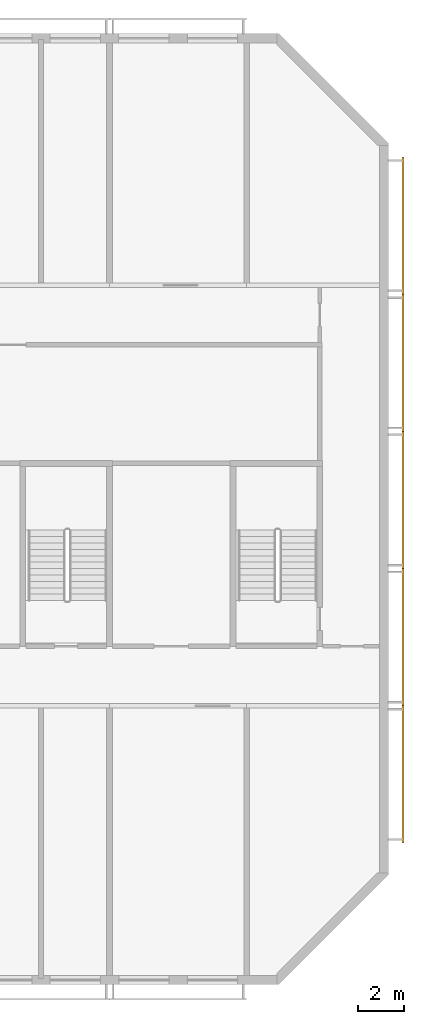
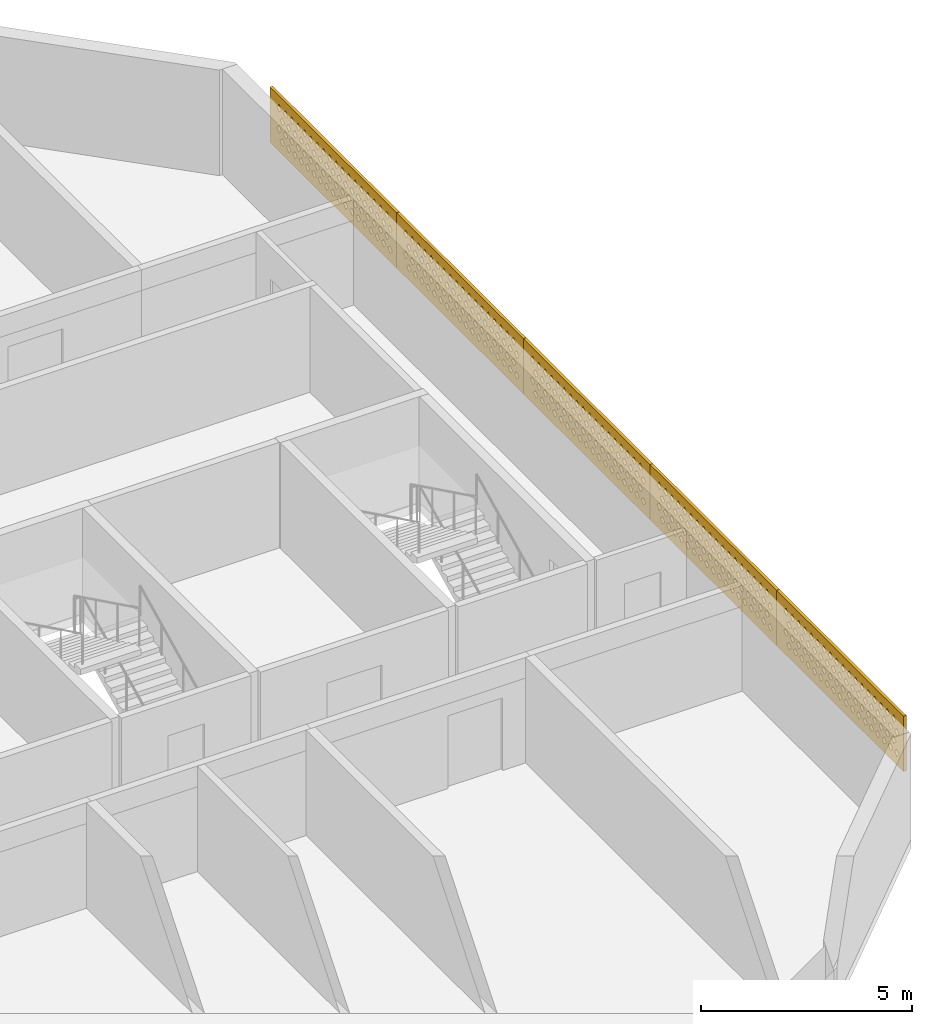
# One storey, part 18 of 18: 5 coverings.
"""IFC4 building model written with IfcOpenShell, lengths in metres."""

from ifc_helpers import new_model, si_unit, direction, frame, origin, place, context, subcontext, project, spatial, polyline, outline, extrude, source, transform, mapped, material, material_profile, profile_set, type_object, element, save


model = new_model("IFC4")

# Units and contexts
model_context = context("Model", 3, precision=1e-05, world=origin(), true_north=direction((0.0, 1.0)))
body_context = subcontext(model_context, "Body", "Model", "MODEL_VIEW")
ifc_project = project(units=[si_unit("LENGTHUNIT", "METRE"), si_unit("AREAUNIT", "SQUARE_METRE"), si_unit("VOLUMEUNIT", "CUBIC_METRE"), si_unit("PLANEANGLEUNIT", "RADIAN"), si_unit("MASSUNIT", "GRAM", prefix="KILO")], contexts=[model_context])

# Site, building, storey
site_placement = place(None, origin())
site = spatial("IfcSite", under=ifc_project, at=site_placement, CompositionType="ELEMENT")
building_placement = place(site_placement, origin())
building = spatial("IfcBuilding", under=site, at=building_placement, Name="Poui Terraces", CompositionType="ELEMENT")
storey_placement = place(building_placement, frame((0.0, 0.0, 275.699951171875)))
storey = spatial("IfcBuildingStorey", under=building, at=storey_placement, Name="L76 CROWN", CompositionType="ELEMENT", Elevation=275.699951171875)

# Coverings
ifc_material = material(Name="Terracotta screen", Category="masonry")
ifc_material_profile = material_profile(ifc_material, outline(polyline([(-3.0, -0.800048828125), (3.0, -0.800048828125), (3.0, 0.800048828125), (-3.0, 0.800048828125), (-3.0, -0.800048828125)]), holes=[polyline([(-2.800048828125, -0.449951171875), (-2.68994140625, -0.56005859375), (-2.580078125, -0.449951171875), (-2.68994140625, -0.340087890625), (-2.800048828125, -0.449951171875)]), polyline([(-2.5, -0.449951171875), (-2.389892578125, -0.56005859375), (-2.280029296875, -0.449951171875), (-2.389892578125, -0.340087890625), (-2.5, -0.449951171875)]), polyline([(-2.199951171875, -0.449951171875), (-2.090087890625, -0.56005859375), (-1.97998046875, -0.449951171875), (-2.090087890625, -0.340087890625), (-2.199951171875, -0.449951171875)]), polyline([(-1.89990234375, -0.449951171875), (-1.7900390625, -0.56005859375), (-1.679931640625, -0.449951171875), (-1.7900390625, -0.340087890625), (-1.89990234375, -0.449951171875)]), polyline([(-1.60009765625, -0.449951171875), (-1.489990234375, -0.56005859375), (-1.3798828125, -0.449951171875), (-1.489990234375, -0.340087890625), (-1.60009765625, -0.449951171875)]), polyline([(-1.300048828125, -0.449951171875), (-1.18994140625, -0.56005859375), (-1.080078125, -0.449951171875), (-1.18994140625, -0.340087890625), (-1.300048828125, -0.449951171875)]), polyline([(-1.0, -0.449951171875), (-0.889892578125, -0.56005859375), (-0.780029296875, -0.449951171875), (-0.889892578125, -0.340087890625), (-1.0, -0.449951171875)]), polyline([(-0.699951171875, -0.449951171875), (-0.590087890625, -0.56005859375), (-0.47998046875, -0.449951171875), (-0.590087890625, -0.340087890625), (-0.699951171875, -0.449951171875)]), polyline([(-0.39990234375, -0.449951171875), (-0.2900390625, -0.56005859375), (-0.179931640625, -0.449951171875), (-0.2900390625, -0.340087890625), (-0.39990234375, -0.449951171875)]), polyline([(-0.10009765625, -0.449951171875), (0.010009765625, -0.56005859375), (0.1201171875, -0.449951171875), (0.010009765625, -0.340087890625), (-0.10009765625, -0.449951171875)]), polyline([(0.199951171875, -0.449951171875), (0.31005859375, -0.56005859375), (0.419921875, -0.449951171875), (0.31005859375, -0.340087890625), (0.199951171875, -0.449951171875)]), polyline([(0.5, -0.449951171875), (0.610107421875, -0.56005859375), (0.719970703125, -0.449951171875), (0.610107421875, -0.340087890625), (0.5, -0.449951171875)]), polyline([(0.800048828125, -0.449951171875), (0.909912109375, -0.56005859375), (1.02001953125, -0.449951171875), (0.909912109375, -0.340087890625), (0.800048828125, -0.449951171875)]), polyline([(1.10009765625, -0.449951171875), (1.2099609375, -0.56005859375), (1.320068359375, -0.449951171875), (1.2099609375, -0.340087890625), (1.10009765625, -0.449951171875)]), polyline([(1.39990234375, -0.449951171875), (1.510009765625, -0.56005859375), (1.6201171875, -0.449951171875), (1.510009765625, -0.340087890625), (1.39990234375, -0.449951171875)]), polyline([(1.699951171875, -0.449951171875), (1.81005859375, -0.56005859375), (1.919921875, -0.449951171875), (1.81005859375, -0.340087890625), (1.699951171875, -0.449951171875)]), polyline([(2.0, -0.449951171875), (2.110107421875, -0.56005859375), (2.219970703125, -0.449951171875), (2.110107421875, -0.340087890625), (2.0, -0.449951171875)]), polyline([(2.300048828125, -0.449951171875), (2.409912109375, -0.56005859375), (2.52001953125, -0.449951171875), (2.409912109375, -0.340087890625), (2.300048828125, -0.449951171875)]), polyline([(-2.64990234375, -0.14990234375), (-2.5400390625, -0.260009765625), (-2.429931640625, -0.14990234375), (-2.5400390625, -0.0400390625), (-2.64990234375, -0.14990234375)]), polyline([(-2.35009765625, -0.14990234375), (-2.239990234375, -0.260009765625), (-2.1298828125, -0.14990234375), (-2.239990234375, -0.0400390625), (-2.35009765625, -0.14990234375)]), polyline([(-2.050048828125, -0.14990234375), (-1.93994140625, -0.260009765625), (-1.830078125, -0.14990234375), (-1.93994140625, -0.0400390625), (-2.050048828125, -0.14990234375)]), polyline([(-1.75, -0.14990234375), (-1.639892578125, -0.260009765625), (-1.530029296875, -0.14990234375), (-1.639892578125, -0.0400390625), (-1.75, -0.14990234375)]), polyline([(-1.449951171875, -0.14990234375), (-1.340087890625, -0.260009765625), (-1.22998046875, -0.14990234375), (-1.340087890625, -0.0400390625), (-1.449951171875, -0.14990234375)]), polyline([(-1.14990234375, -0.14990234375), (-1.0400390625, -0.260009765625), (-0.929931640625, -0.14990234375), (-1.0400390625, -0.0400390625), (-1.14990234375, -0.14990234375)]), polyline([(-0.85009765625, -0.14990234375), (-0.739990234375, -0.260009765625), (-0.6298828125, -0.14990234375), (-0.739990234375, -0.0400390625), (-0.85009765625, -0.14990234375)]), polyline([(-0.550048828125, -0.14990234375), (-0.43994140625, -0.260009765625), (-0.330078125, -0.14990234375), (-0.43994140625, -0.0400390625), (-0.550048828125, -0.14990234375)]), polyline([(-0.25, -0.14990234375), (-0.139892578125, -0.260009765625), (-0.030029296875, -0.14990234375), (-0.139892578125, -0.0400390625), (-0.25, -0.14990234375)]), polyline([(0.050048828125, -0.14990234375), (0.159912109375, -0.260009765625), (0.27001953125, -0.14990234375), (0.159912109375, -0.0400390625), (0.050048828125, -0.14990234375)]), polyline([(0.35009765625, -0.14990234375), (0.4599609375, -0.260009765625), (0.570068359375, -0.14990234375), (0.4599609375, -0.0400390625), (0.35009765625, -0.14990234375)]), polyline([(0.64990234375, -0.14990234375), (0.760009765625, -0.260009765625), (0.8701171875, -0.14990234375), (0.760009765625, -0.0400390625), (0.64990234375, -0.14990234375)]), polyline([(0.949951171875, -0.14990234375), (1.06005859375, -0.260009765625), (1.169921875, -0.14990234375), (1.06005859375, -0.0400390625), (0.949951171875, -0.14990234375)]), polyline([(1.25, -0.14990234375), (1.360107421875, -0.260009765625), (1.469970703125, -0.14990234375), (1.360107421875, -0.0400390625), (1.25, -0.14990234375)]), polyline([(1.550048828125, -0.14990234375), (1.659912109375, -0.260009765625), (1.77001953125, -0.14990234375), (1.659912109375, -0.0400390625), (1.550048828125, -0.14990234375)]), polyline([(1.85009765625, -0.14990234375), (1.9599609375, -0.260009765625), (2.070068359375, -0.14990234375), (1.9599609375, -0.0400390625), (1.85009765625, -0.14990234375)]), polyline([(2.14990234375, -0.14990234375), (2.260009765625, -0.260009765625), (2.3701171875, -0.14990234375), (2.260009765625, -0.0400390625), (2.14990234375, -0.14990234375)]), polyline([(2.449951171875, -0.14990234375), (2.56005859375, -0.260009765625), (2.669921875, -0.14990234375), (2.56005859375, -0.0400390625), (2.449951171875, -0.14990234375)]), polyline([(-2.800048828125, 0.14990234375), (-2.68994140625, 0.0400390625), (-2.580078125, 0.14990234375), (-2.68994140625, 0.260009765625), (-2.800048828125, 0.14990234375)]), polyline([(-2.5, 0.14990234375), (-2.389892578125, 0.0400390625), (-2.280029296875, 0.14990234375), (-2.389892578125, 0.260009765625), (-2.5, 0.14990234375)]), polyline([(-2.199951171875, 0.14990234375), (-2.090087890625, 0.0400390625), (-1.97998046875, 0.14990234375), (-2.090087890625, 0.260009765625), (-2.199951171875, 0.14990234375)]), polyline([(-1.89990234375, 0.14990234375), (-1.7900390625, 0.0400390625), (-1.679931640625, 0.14990234375), (-1.7900390625, 0.260009765625), (-1.89990234375, 0.14990234375)]), polyline([(-1.60009765625, 0.14990234375), (-1.489990234375, 0.0400390625), (-1.3798828125, 0.14990234375), (-1.489990234375, 0.260009765625), (-1.60009765625, 0.14990234375)]), polyline([(-1.300048828125, 0.14990234375), (-1.18994140625, 0.0400390625), (-1.080078125, 0.14990234375), (-1.18994140625, 0.260009765625), (-1.300048828125, 0.14990234375)]), polyline([(-1.0, 0.14990234375), (-0.889892578125, 0.0400390625), (-0.780029296875, 0.14990234375), (-0.889892578125, 0.260009765625), (-1.0, 0.14990234375)]), polyline([(-0.699951171875, 0.14990234375), (-0.590087890625, 0.0400390625), (-0.47998046875, 0.14990234375), (-0.590087890625, 0.260009765625), (-0.699951171875, 0.14990234375)]), polyline([(-0.39990234375, 0.14990234375), (-0.2900390625, 0.0400390625), (-0.179931640625, 0.14990234375), (-0.2900390625, 0.260009765625), (-0.39990234375, 0.14990234375)]), polyline([(-0.10009765625, 0.14990234375), (0.010009765625, 0.0400390625), (0.1201171875, 0.14990234375), (0.010009765625, 0.260009765625), (-0.10009765625, 0.14990234375)]), polyline([(0.199951171875, 0.14990234375), (0.31005859375, 0.0400390625), (0.419921875, 0.14990234375), (0.31005859375, 0.260009765625), (0.199951171875, 0.14990234375)]), polyline([(0.5, 0.14990234375), (0.610107421875, 0.0400390625), (0.719970703125, 0.14990234375), (0.610107421875, 0.260009765625), (0.5, 0.14990234375)]), polyline([(0.800048828125, 0.14990234375), (0.909912109375, 0.0400390625), (1.02001953125, 0.14990234375), (0.909912109375, 0.260009765625), (0.800048828125, 0.14990234375)]), polyline([(1.10009765625, 0.14990234375), (1.2099609375, 0.0400390625), (1.320068359375, 0.14990234375), (1.2099609375, 0.260009765625), (1.10009765625, 0.14990234375)]), polyline([(1.39990234375, 0.14990234375), (1.510009765625, 0.0400390625), (1.6201171875, 0.14990234375), (1.510009765625, 0.260009765625), (1.39990234375, 0.14990234375)]), polyline([(1.699951171875, 0.14990234375), (1.81005859375, 0.0400390625), (1.919921875, 0.14990234375), (1.81005859375, 0.260009765625), (1.699951171875, 0.14990234375)]), polyline([(2.0, 0.14990234375), (2.110107421875, 0.0400390625), (2.219970703125, 0.14990234375), (2.110107421875, 0.260009765625), (2.0, 0.14990234375)]), polyline([(2.300048828125, 0.14990234375), (2.409912109375, 0.0400390625), (2.52001953125, 0.14990234375), (2.409912109375, 0.260009765625), (2.300048828125, 0.14990234375)]), polyline([(-2.64990234375, 0.449951171875), (-2.5400390625, 0.340087890625), (-2.429931640625, 0.449951171875), (-2.5400390625, 0.56005859375), (-2.64990234375, 0.449951171875)]), polyline([(-2.35009765625, 0.449951171875), (-2.239990234375, 0.340087890625), (-2.1298828125, 0.449951171875), (-2.239990234375, 0.56005859375), (-2.35009765625, 0.449951171875)]), polyline([(-2.050048828125, 0.449951171875), (-1.93994140625, 0.340087890625), (-1.830078125, 0.449951171875), (-1.93994140625, 0.56005859375), (-2.050048828125, 0.449951171875)]), polyline([(-1.75, 0.449951171875), (-1.639892578125, 0.340087890625), (-1.530029296875, 0.449951171875), (-1.639892578125, 0.56005859375), (-1.75, 0.449951171875)]), polyline([(-1.449951171875, 0.449951171875), (-1.340087890625, 0.340087890625), (-1.22998046875, 0.449951171875), (-1.340087890625, 0.56005859375), (-1.449951171875, 0.449951171875)]), polyline([(-1.14990234375, 0.449951171875), (-1.0400390625, 0.340087890625), (-0.929931640625, 0.449951171875), (-1.0400390625, 0.56005859375), (-1.14990234375, 0.449951171875)]), polyline([(-0.85009765625, 0.449951171875), (-0.739990234375, 0.340087890625), (-0.6298828125, 0.449951171875), (-0.739990234375, 0.56005859375), (-0.85009765625, 0.449951171875)]), polyline([(-0.550048828125, 0.449951171875), (-0.43994140625, 0.340087890625), (-0.330078125, 0.449951171875), (-0.43994140625, 0.56005859375), (-0.550048828125, 0.449951171875)]), polyline([(-0.25, 0.449951171875), (-0.139892578125, 0.340087890625), (-0.030029296875, 0.449951171875), (-0.139892578125, 0.56005859375), (-0.25, 0.449951171875)]), polyline([(0.050048828125, 0.449951171875), (0.159912109375, 0.340087890625), (0.27001953125, 0.449951171875), (0.159912109375, 0.56005859375), (0.050048828125, 0.449951171875)]), polyline([(0.35009765625, 0.449951171875), (0.4599609375, 0.340087890625), (0.570068359375, 0.449951171875), (0.4599609375, 0.56005859375), (0.35009765625, 0.449951171875)]), polyline([(0.64990234375, 0.449951171875), (0.760009765625, 0.340087890625), (0.8701171875, 0.449951171875), (0.760009765625, 0.56005859375), (0.64990234375, 0.449951171875)]), polyline([(0.949951171875, 0.449951171875), (1.06005859375, 0.340087890625), (1.169921875, 0.449951171875), (1.06005859375, 0.56005859375), (0.949951171875, 0.449951171875)]), polyline([(1.25, 0.449951171875), (1.360107421875, 0.340087890625), (1.469970703125, 0.449951171875), (1.360107421875, 0.56005859375), (1.25, 0.449951171875)]), polyline([(1.550048828125, 0.449951171875), (1.659912109375, 0.340087890625), (1.77001953125, 0.449951171875), (1.659912109375, 0.56005859375), (1.550048828125, 0.449951171875)]), polyline([(1.85009765625, 0.449951171875), (1.9599609375, 0.340087890625), (2.070068359375, 0.449951171875), (1.9599609375, 0.56005859375), (1.85009765625, 0.449951171875)]), polyline([(2.14990234375, 0.449951171875), (2.260009765625, 0.340087890625), (2.3701171875, 0.449951171875), (2.260009765625, 0.56005859375), (2.14990234375, 0.449951171875)]), polyline([(2.449951171875, 0.449951171875), (2.56005859375, 0.340087890625), (2.669921875, 0.449951171875), (2.56005859375, 0.56005859375), (2.449951171875, 0.449951171875)])]), Name="TERRACOTTA SOLAR SCREEN 6000X1600")
ifc_profile_set = profile_set([ifc_material_profile], Name="Terracotta screen")
covering_type = type_object("IfcCoveringType", Name="TERRACOTTA SOLAR SCREEN 6000X1600", PredefinedType="CLADDING", material=ifc_profile_set)
shared_shape = source(origin(), body_context, "Body", "SweptSolid", [
    extrude(outline(polyline([(-3.0, -0.800048828125), (3.0, -0.800048828125), (3.0, 0.800048828125), (-3.0, 0.800048828125), (-3.0, -0.800048828125)]), holes=[polyline([(-2.800048828125, -0.449951171875), (-2.68994140625, -0.56005859375), (-2.580078125, -0.449951171875), (-2.68994140625, -0.340087890625), (-2.800048828125, -0.449951171875)]), polyline([(-2.5, -0.449951171875), (-2.389892578125, -0.56005859375), (-2.280029296875, -0.449951171875), (-2.389892578125, -0.340087890625), (-2.5, -0.449951171875)]), polyline([(-2.199951171875, -0.449951171875), (-2.090087890625, -0.56005859375), (-1.97998046875, -0.449951171875), (-2.090087890625, -0.340087890625), (-2.199951171875, -0.449951171875)]), polyline([(-1.89990234375, -0.449951171875), (-1.7900390625, -0.56005859375), (-1.679931640625, -0.449951171875), (-1.7900390625, -0.340087890625), (-1.89990234375, -0.449951171875)]), polyline([(-1.60009765625, -0.449951171875), (-1.489990234375, -0.56005859375), (-1.3798828125, -0.449951171875), (-1.489990234375, -0.340087890625), (-1.60009765625, -0.449951171875)]), polyline([(-1.300048828125, -0.449951171875), (-1.18994140625, -0.56005859375), (-1.080078125, -0.449951171875), (-1.18994140625, -0.340087890625), (-1.300048828125, -0.449951171875)]), polyline([(-1.0, -0.449951171875), (-0.889892578125, -0.56005859375), (-0.780029296875, -0.449951171875), (-0.889892578125, -0.340087890625), (-1.0, -0.449951171875)]), polyline([(-0.699951171875, -0.449951171875), (-0.590087890625, -0.56005859375), (-0.47998046875, -0.449951171875), (-0.590087890625, -0.340087890625), (-0.699951171875, -0.449951171875)]), polyline([(-0.39990234375, -0.449951171875), (-0.2900390625, -0.56005859375), (-0.179931640625, -0.449951171875), (-0.2900390625, -0.340087890625), (-0.39990234375, -0.449951171875)]), polyline([(-0.10009765625, -0.449951171875), (0.010009765625, -0.56005859375), (0.1201171875, -0.449951171875), (0.010009765625, -0.340087890625), (-0.10009765625, -0.449951171875)]), polyline([(0.199951171875, -0.449951171875), (0.31005859375, -0.56005859375), (0.419921875, -0.449951171875), (0.31005859375, -0.340087890625), (0.199951171875, -0.449951171875)]), polyline([(0.5, -0.449951171875), (0.610107421875, -0.56005859375), (0.719970703125, -0.449951171875), (0.610107421875, -0.340087890625), (0.5, -0.449951171875)]), polyline([(0.800048828125, -0.449951171875), (0.909912109375, -0.56005859375), (1.02001953125, -0.449951171875), (0.909912109375, -0.340087890625), (0.800048828125, -0.449951171875)]), polyline([(1.10009765625, -0.449951171875), (1.2099609375, -0.56005859375), (1.320068359375, -0.449951171875), (1.2099609375, -0.340087890625), (1.10009765625, -0.449951171875)]), polyline([(1.39990234375, -0.449951171875), (1.510009765625, -0.56005859375), (1.6201171875, -0.449951171875), (1.510009765625, -0.340087890625), (1.39990234375, -0.449951171875)]), polyline([(1.699951171875, -0.449951171875), (1.81005859375, -0.56005859375), (1.919921875, -0.449951171875), (1.81005859375, -0.340087890625), (1.699951171875, -0.449951171875)]), polyline([(2.0, -0.449951171875), (2.110107421875, -0.56005859375), (2.219970703125, -0.449951171875), (2.110107421875, -0.340087890625), (2.0, -0.449951171875)]), polyline([(2.300048828125, -0.449951171875), (2.409912109375, -0.56005859375), (2.52001953125, -0.449951171875), (2.409912109375, -0.340087890625), (2.300048828125, -0.449951171875)]), polyline([(-2.64990234375, -0.14990234375), (-2.5400390625, -0.260009765625), (-2.429931640625, -0.14990234375), (-2.5400390625, -0.0400390625), (-2.64990234375, -0.14990234375)]), polyline([(-2.35009765625, -0.14990234375), (-2.239990234375, -0.260009765625), (-2.1298828125, -0.14990234375), (-2.239990234375, -0.0400390625), (-2.35009765625, -0.14990234375)]), polyline([(-2.050048828125, -0.14990234375), (-1.93994140625, -0.260009765625), (-1.830078125, -0.14990234375), (-1.93994140625, -0.0400390625), (-2.050048828125, -0.14990234375)]), polyline([(-1.75, -0.14990234375), (-1.639892578125, -0.260009765625), (-1.530029296875, -0.14990234375), (-1.639892578125, -0.0400390625), (-1.75, -0.14990234375)]), polyline([(-1.449951171875, -0.14990234375), (-1.340087890625, -0.260009765625), (-1.22998046875, -0.14990234375), (-1.340087890625, -0.0400390625), (-1.449951171875, -0.14990234375)]), polyline([(-1.14990234375, -0.14990234375), (-1.0400390625, -0.260009765625), (-0.929931640625, -0.14990234375), (-1.0400390625, -0.0400390625), (-1.14990234375, -0.14990234375)]), polyline([(-0.85009765625, -0.14990234375), (-0.739990234375, -0.260009765625), (-0.6298828125, -0.14990234375), (-0.739990234375, -0.0400390625), (-0.85009765625, -0.14990234375)]), polyline([(-0.550048828125, -0.14990234375), (-0.43994140625, -0.260009765625), (-0.330078125, -0.14990234375), (-0.43994140625, -0.0400390625), (-0.550048828125, -0.14990234375)]), polyline([(-0.25, -0.14990234375), (-0.139892578125, -0.260009765625), (-0.030029296875, -0.14990234375), (-0.139892578125, -0.0400390625), (-0.25, -0.14990234375)]), polyline([(0.050048828125, -0.14990234375), (0.159912109375, -0.260009765625), (0.27001953125, -0.14990234375), (0.159912109375, -0.0400390625), (0.050048828125, -0.14990234375)]), polyline([(0.35009765625, -0.14990234375), (0.4599609375, -0.260009765625), (0.570068359375, -0.14990234375), (0.4599609375, -0.0400390625), (0.35009765625, -0.14990234375)]), polyline([(0.64990234375, -0.14990234375), (0.760009765625, -0.260009765625), (0.8701171875, -0.14990234375), (0.760009765625, -0.0400390625), (0.64990234375, -0.14990234375)]), polyline([(0.949951171875, -0.14990234375), (1.06005859375, -0.260009765625), (1.169921875, -0.14990234375), (1.06005859375, -0.0400390625), (0.949951171875, -0.14990234375)]), polyline([(1.25, -0.14990234375), (1.360107421875, -0.260009765625), (1.469970703125, -0.14990234375), (1.360107421875, -0.0400390625), (1.25, -0.14990234375)]), polyline([(1.550048828125, -0.14990234375), (1.659912109375, -0.260009765625), (1.77001953125, -0.14990234375), (1.659912109375, -0.0400390625), (1.550048828125, -0.14990234375)]), polyline([(1.85009765625, -0.14990234375), (1.9599609375, -0.260009765625), (2.070068359375, -0.14990234375), (1.9599609375, -0.0400390625), (1.85009765625, -0.14990234375)]), polyline([(2.14990234375, -0.14990234375), (2.260009765625, -0.260009765625), (2.3701171875, -0.14990234375), (2.260009765625, -0.0400390625), (2.14990234375, -0.14990234375)]), polyline([(2.449951171875, -0.14990234375), (2.56005859375, -0.260009765625), (2.669921875, -0.14990234375), (2.56005859375, -0.0400390625), (2.449951171875, -0.14990234375)]), polyline([(-2.800048828125, 0.14990234375), (-2.68994140625, 0.0400390625), (-2.580078125, 0.14990234375), (-2.68994140625, 0.260009765625), (-2.800048828125, 0.14990234375)]), polyline([(-2.5, 0.14990234375), (-2.389892578125, 0.0400390625), (-2.280029296875, 0.14990234375), (-2.389892578125, 0.260009765625), (-2.5, 0.14990234375)]), polyline([(-2.199951171875, 0.14990234375), (-2.090087890625, 0.0400390625), (-1.97998046875, 0.14990234375), (-2.090087890625, 0.260009765625), (-2.199951171875, 0.14990234375)]), polyline([(-1.89990234375, 0.14990234375), (-1.7900390625, 0.0400390625), (-1.679931640625, 0.14990234375), (-1.7900390625, 0.260009765625), (-1.89990234375, 0.14990234375)]), polyline([(-1.60009765625, 0.14990234375), (-1.489990234375, 0.0400390625), (-1.3798828125, 0.14990234375), (-1.489990234375, 0.260009765625), (-1.60009765625, 0.14990234375)]), polyline([(-1.300048828125, 0.14990234375), (-1.18994140625, 0.0400390625), (-1.080078125, 0.14990234375), (-1.18994140625, 0.260009765625), (-1.300048828125, 0.14990234375)]), polyline([(-1.0, 0.14990234375), (-0.889892578125, 0.0400390625), (-0.780029296875, 0.14990234375), (-0.889892578125, 0.260009765625), (-1.0, 0.14990234375)]), polyline([(-0.699951171875, 0.14990234375), (-0.590087890625, 0.0400390625), (-0.47998046875, 0.14990234375), (-0.590087890625, 0.260009765625), (-0.699951171875, 0.14990234375)]), polyline([(-0.39990234375, 0.14990234375), (-0.2900390625, 0.0400390625), (-0.179931640625, 0.14990234375), (-0.2900390625, 0.260009765625), (-0.39990234375, 0.14990234375)]), polyline([(-0.10009765625, 0.14990234375), (0.010009765625, 0.0400390625), (0.1201171875, 0.14990234375), (0.010009765625, 0.260009765625), (-0.10009765625, 0.14990234375)]), polyline([(0.199951171875, 0.14990234375), (0.31005859375, 0.0400390625), (0.419921875, 0.14990234375), (0.31005859375, 0.260009765625), (0.199951171875, 0.14990234375)]), polyline([(0.5, 0.14990234375), (0.610107421875, 0.0400390625), (0.719970703125, 0.14990234375), (0.610107421875, 0.260009765625), (0.5, 0.14990234375)]), polyline([(0.800048828125, 0.14990234375), (0.909912109375, 0.0400390625), (1.02001953125, 0.14990234375), (0.909912109375, 0.260009765625), (0.800048828125, 0.14990234375)]), polyline([(1.10009765625, 0.14990234375), (1.2099609375, 0.0400390625), (1.320068359375, 0.14990234375), (1.2099609375, 0.260009765625), (1.10009765625, 0.14990234375)]), polyline([(1.39990234375, 0.14990234375), (1.510009765625, 0.0400390625), (1.6201171875, 0.14990234375), (1.510009765625, 0.260009765625), (1.39990234375, 0.14990234375)]), polyline([(1.699951171875, 0.14990234375), (1.81005859375, 0.0400390625), (1.919921875, 0.14990234375), (1.81005859375, 0.260009765625), (1.699951171875, 0.14990234375)]), polyline([(2.0, 0.14990234375), (2.110107421875, 0.0400390625), (2.219970703125, 0.14990234375), (2.110107421875, 0.260009765625), (2.0, 0.14990234375)]), polyline([(2.300048828125, 0.14990234375), (2.409912109375, 0.0400390625), (2.52001953125, 0.14990234375), (2.409912109375, 0.260009765625), (2.300048828125, 0.14990234375)]), polyline([(-2.64990234375, 0.449951171875), (-2.5400390625, 0.340087890625), (-2.429931640625, 0.449951171875), (-2.5400390625, 0.56005859375), (-2.64990234375, 0.449951171875)]), polyline([(-2.35009765625, 0.449951171875), (-2.239990234375, 0.340087890625), (-2.1298828125, 0.449951171875), (-2.239990234375, 0.56005859375), (-2.35009765625, 0.449951171875)]), polyline([(-2.050048828125, 0.449951171875), (-1.93994140625, 0.340087890625), (-1.830078125, 0.449951171875), (-1.93994140625, 0.56005859375), (-2.050048828125, 0.449951171875)]), polyline([(-1.75, 0.449951171875), (-1.639892578125, 0.340087890625), (-1.530029296875, 0.449951171875), (-1.639892578125, 0.56005859375), (-1.75, 0.449951171875)]), polyline([(-1.449951171875, 0.449951171875), (-1.340087890625, 0.340087890625), (-1.22998046875, 0.449951171875), (-1.340087890625, 0.56005859375), (-1.449951171875, 0.449951171875)]), polyline([(-1.14990234375, 0.449951171875), (-1.0400390625, 0.340087890625), (-0.929931640625, 0.449951171875), (-1.0400390625, 0.56005859375), (-1.14990234375, 0.449951171875)]), polyline([(-0.85009765625, 0.449951171875), (-0.739990234375, 0.340087890625), (-0.6298828125, 0.449951171875), (-0.739990234375, 0.56005859375), (-0.85009765625, 0.449951171875)]), polyline([(-0.550048828125, 0.449951171875), (-0.43994140625, 0.340087890625), (-0.330078125, 0.449951171875), (-0.43994140625, 0.56005859375), (-0.550048828125, 0.449951171875)]), polyline([(-0.25, 0.449951171875), (-0.139892578125, 0.340087890625), (-0.030029296875, 0.449951171875), (-0.139892578125, 0.56005859375), (-0.25, 0.449951171875)]), polyline([(0.050048828125, 0.449951171875), (0.159912109375, 0.340087890625), (0.27001953125, 0.449951171875), (0.159912109375, 0.56005859375), (0.050048828125, 0.449951171875)]), polyline([(0.35009765625, 0.449951171875), (0.4599609375, 0.340087890625), (0.570068359375, 0.449951171875), (0.4599609375, 0.56005859375), (0.35009765625, 0.449951171875)]), polyline([(0.64990234375, 0.449951171875), (0.760009765625, 0.340087890625), (0.8701171875, 0.449951171875), (0.760009765625, 0.56005859375), (0.64990234375, 0.449951171875)]), polyline([(0.949951171875, 0.449951171875), (1.06005859375, 0.340087890625), (1.169921875, 0.449951171875), (1.06005859375, 0.56005859375), (0.949951171875, 0.449951171875)]), polyline([(1.25, 0.449951171875), (1.360107421875, 0.340087890625), (1.469970703125, 0.449951171875), (1.360107421875, 0.56005859375), (1.25, 0.449951171875)]), polyline([(1.550048828125, 0.449951171875), (1.659912109375, 0.340087890625), (1.77001953125, 0.449951171875), (1.659912109375, 0.56005859375), (1.550048828125, 0.449951171875)]), polyline([(1.85009765625, 0.449951171875), (1.9599609375, 0.340087890625), (2.070068359375, 0.449951171875), (1.9599609375, 0.56005859375), (1.85009765625, 0.449951171875)]), polyline([(2.14990234375, 0.449951171875), (2.260009765625, 0.340087890625), (2.3701171875, 0.449951171875), (2.260009765625, 0.56005859375), (2.14990234375, 0.449951171875)]), polyline([(2.449951171875, 0.449951171875), (2.56005859375, 0.340087890625), (2.669921875, 0.449951171875), (2.56005859375, 0.56005859375), (2.449951171875, 0.449951171875)])]), origin(), (0.0, 0.0, 1.0), 0.079833984375),
])
for number, where, z_axis, x_axis, name in (
    (1, (84.800048828125, 9.0, 1.699951171875), (1.0, 0.0, 0.0), (0.0, 1.0, 0.0), "SOLAR SCREEN"),
    (2, (84.800048828125, 15.0, 1.699951171875), (1.0, 0.0, 0.0), (0.0, 1.0, 0.0), "SOLAR SCREEN"),
    (3, (84.800048828125, 21.0, 1.699951171875), (1.0, 0.0, 0.0), (0.0, 1.0, 0.0), "SOLAR SCREEN"),
    (4, (84.800048828125, 27.0, 1.699951171875), (1.0, 0.0, 0.0), (0.0, 1.0, 0.0), "SOLAR SCREEN"),
    (5, (84.800048828125, 33.0, 1.699951171875), (1.0, 0.0, 0.0), (0.0, 1.0, 0.0), "SOLAR SCREEN"),
):
    element("IfcCovering", number, at=place(storey_placement, frame(where, z_axis=z_axis, x_axis=x_axis)), inside=storey, type_object=covering_type, Name=name, PredefinedType="CLADDING", context=body_context, shape_type="MappedRepresentation", body=[
        mapped(shared_shape, transform((0.0, 0.0, 0.0))),
    ])

save(model, "model.ifc")
